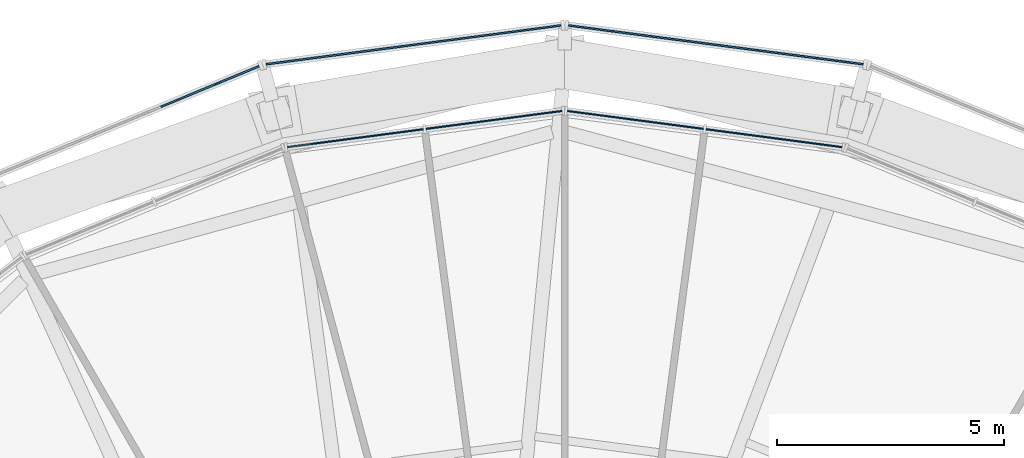
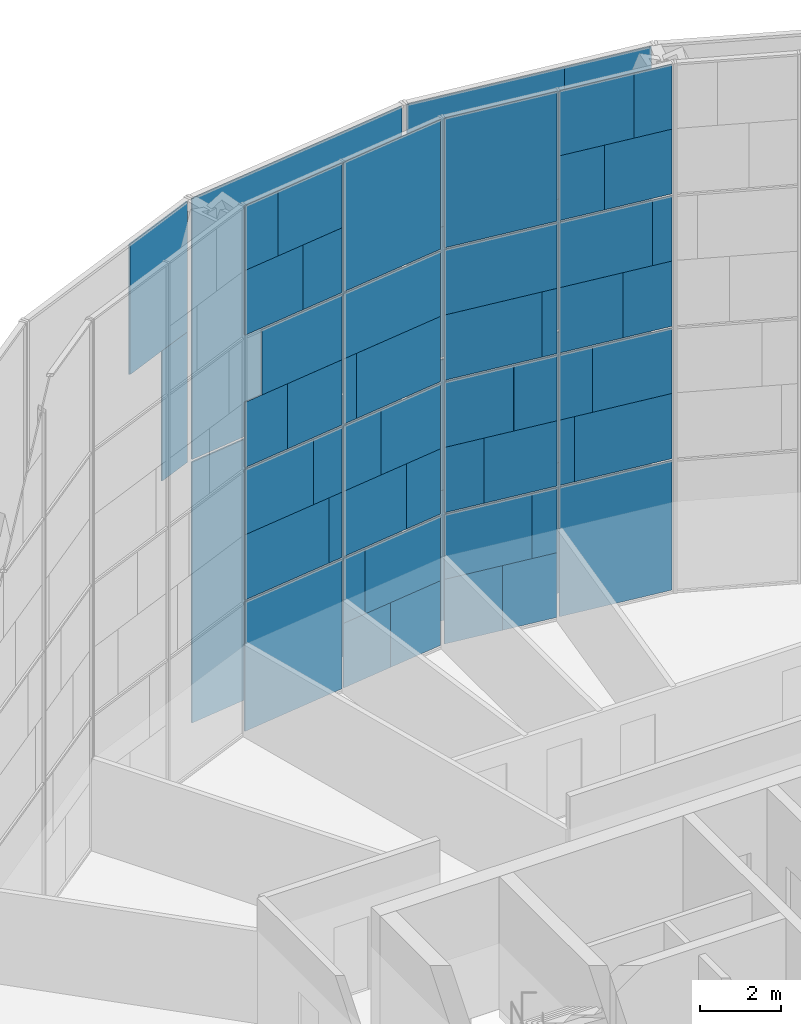
# One storey, part 22 of 28: 63 plates, 5 elements without a shape of their own.
"""IFC4 building model written with IfcOpenShell, lengths in metres."""

from ifc_helpers import new_model, si_unit, direction, frame, origin, origin_2d, place, context, subcontext, project, spatial, rectangle, extrude, material, layer, layer_set, type_object, element, aggregate, save


model = new_model("IFC4")

# Units and contexts
model_context = context("Model", 3, precision=1e-05, world=origin(), true_north=direction((0.0, 1.0)))
body_context = subcontext(model_context, "Body", "Model", "MODEL_VIEW")
ifc_project = project(units=[si_unit("LENGTHUNIT", "METRE"), si_unit("AREAUNIT", "SQUARE_METRE"), si_unit("VOLUMEUNIT", "CUBIC_METRE"), si_unit("PLANEANGLEUNIT", "RADIAN"), si_unit("MASSUNIT", "GRAM", prefix="KILO")], contexts=[model_context])

# Site, building, storey
site_placement = place(None, origin())
site = spatial("IfcSite", under=ifc_project, at=site_placement, CompositionType="ELEMENT")
building_placement = place(site_placement, origin())
building = spatial("IfcBuilding", under=site, at=building_placement, Name="Golbaran Civic Tower", CompositionType="ELEMENT")
storey_placement = place(building_placement, frame((0.0, 0.0, 183.0)))
storey = spatial("IfcBuildingStorey", under=building, at=storey_placement, Name="L44", CompositionType="ELEMENT", Elevation=183.0)

# Curtain wall, plates
ifc_material_1 = material(Name="Aluminium and glass", Category="aluminium")
curtain_wall_type_1 = type_object("IfcCurtainWallType", Name="INNER SKIN CURTAIN WALL EXECUTIVE", PredefinedType="NOTDEFINED", material=ifc_material_1)
curtain_wall_1_placement = place(storey_placement, origin())
curtain_wall_1 = element("IfcCurtainWall", 1, at=curtain_wall_1_placement, inside=storey, type_object=curtain_wall_type_1, Name="Inner skin L44 facet 6 CW2", ObjectType="INNER SKIN", PredefinedType="USERDEFINED")
ifc_material_2 = material(Name="Clear insulating glass", Category="glass")
ifc_layer_1 = layer(ifc_material_2, 0.031982421875, Name="Clear insulating glass")
ifc_layer_set_1 = layer_set([ifc_layer_1], Name="Clear insulating glass")
plate_type_1 = type_object("IfcPlateType", Name="INNER SKIN CURTAIN WALL EXECUTIVE GLAZED PANEL", PredefinedType="CURTAIN_PANEL", material=ifc_layer_set_1)
plate_1_placement = place(storey_placement, frame((4.607421875, 23.205322265625, 0.06005859375), z_axis=(0.0, 0.0, 1.0), x_axis=(-0.991444861383, 0.130526192151, 0.0)))
plate_1 = element("IfcPlate", 2, at=plate_1_placement, type_object=plate_type_1, Name="CW2 panel 1.1", PredefinedType="CURTAIN_PANEL", context=body_context, shape_type="SweptSolid", body=[
    extrude(rectangle(XDim=3.01806640625, YDim=0.031982421875, at=origin_2d()), origin(), (0.0, 0.0, 1.0), 3.909912109375),
])
plate_2_placement = place(storey_placement, frame((4.80615234375, 23.17919921875, 4.02978515625), z_axis=(0.0, 0.0, 1.0), x_axis=(-0.991444861383, 0.130526192151, 0.0)))
plate_2 = element("IfcPlate", 3, at=plate_2_placement, type_object=plate_type_1, Name="CW2 panel 1.2 part 1", PredefinedType="CURTAIN_PANEL", context=body_context, shape_type="SweptSolid", body=[
    extrude(rectangle(XDim=2.616943359375, YDim=0.031982421875, at=origin_2d()), origin(), (0.0, 0.0, 1.0), 1.969970703125),
])
plate_3_placement = place(storey_placement, frame((5.044677734375, 23.14794921875, 6.0), z_axis=(0.0, 0.0, 1.0), x_axis=(-0.991444861383, 0.130526192151, 0.0)))
plate_3 = element("IfcPlate", 4, at=plate_3_placement, type_object=plate_type_1, Name="CW2 panel 1.2 part 3", PredefinedType="CURTAIN_PANEL", context=body_context, shape_type="SweptSolid", body=[
    extrude(rectangle(XDim=2.135986328125, YDim=0.031982421875, at=origin_2d()), origin(), (0.0, 0.0, 1.0), 1.969970703125),
])
plate_4_placement = place(storey_placement, frame((5.45068359375, 23.094482421875, 8.02978515625), z_axis=(0.0, 0.0, 1.0), x_axis=(-0.991444861383, 0.130526192151, 0.0)))
plate_4 = element("IfcPlate", 5, at=plate_4_placement, type_object=plate_type_1, Name="CW2 panel 1.3 part 1", PredefinedType="CURTAIN_PANEL", context=body_context, shape_type="SweptSolid", body=[
    extrude(rectangle(XDim=1.31689453125, YDim=0.031982421875, at=origin_2d()), origin(), (0.0, 0.0, 1.0), 1.969970703125),
])
plate_5_placement = place(storey_placement, frame((5.84423828125, 23.04248046875, 10.0), z_axis=(0.0, 0.0, 1.0), x_axis=(-0.991444861383, 0.130526192151, 0.0)))
plate_5 = element("IfcPlate", 6, at=plate_5_placement, type_object=plate_type_1, Name="CW2 panel 1.3 part 3", PredefinedType="CURTAIN_PANEL", context=body_context, shape_type="SweptSolid", body=[
    extrude(rectangle(XDim=0.52294921875, YDim=0.031982421875, at=origin_2d()), origin(), (0.0, 0.0, 1.0), 1.969970703125),
])
plate_6_placement = place(storey_placement, frame((3.710205078125, 23.323486328125, 12.030029296875), z_axis=(0.0, 0.0, 1.0), x_axis=(-0.991444861383, 0.130526192151, 0.0)))
plate_6 = element("IfcPlate", 7, at=plate_6_placement, type_object=plate_type_1, Name="CW2 panel 1.4 part 2", PredefinedType="CURTAIN_PANEL", context=body_context, shape_type="SweptSolid", body=[
    extrude(rectangle(XDim=1.2080078125, YDim=0.031982421875, at=origin_2d()), origin(), (0.0, 0.0, 1.0), 1.955078125),
])
plate_7_placement = place(storey_placement, frame((4.100830078125, 23.272216796875, 13.98486328125), z_axis=(0.0, 0.0, 1.0), x_axis=(-0.991444861383, 0.130526192151, 0.0)))
plate_7 = element("IfcPlate", 8, at=plate_7_placement, type_object=plate_type_1, Name="CW2 panel 1.4 part 4", PredefinedType="CURTAIN_PANEL", context=body_context, shape_type="SweptSolid", body=[
    extrude(rectangle(XDim=1.99609375, YDim=0.031982421875, at=origin_2d()), origin(), (0.0, 0.0, 1.0), 1.955078125),
])
plate_8_placement = place(storey_placement, frame((2.32861328125, 23.50537109375, 0.06005859375), z_axis=(0.0, 0.0, 1.0), x_axis=(-0.991444861383, 0.130526192151, 0.0)))
plate_8 = element("IfcPlate", 9, at=plate_8_placement, type_object=plate_type_1, Name="CW2 panel 2.1 part 1", PredefinedType="CURTAIN_PANEL", context=body_context, shape_type="SweptSolid", body=[
    extrude(rectangle(XDim=1.458984375, YDim=0.031982421875, at=origin_2d()), origin(), (0.0, 0.0, 1.0), 1.955078125),
])
plate_9_placement = place(storey_placement, frame((2.7197265625, 23.453857421875, 2.014892578125), z_axis=(0.0, 0.0, 1.0), x_axis=(-0.991444861383, 0.130526192151, 0.0)))
plate_9 = element("IfcPlate", 10, at=plate_9_placement, type_object=plate_type_1, Name="CW2 panel 2.1 part 3", PredefinedType="CURTAIN_PANEL", context=body_context, shape_type="SweptSolid", body=[
    extrude(rectangle(XDim=0.669921875, YDim=0.031982421875, at=origin_2d()), origin(), (0.0, 0.0, 1.0), 1.955078125),
])
plate_10_placement = place(storey_placement, frame((0.5849609375, 23.73486328125, 4.02978515625), z_axis=(0.0, 0.0, 1.0), x_axis=(-0.991444861383, 0.130526192151, 0.0)))
plate_10 = element("IfcPlate", 11, at=plate_10_placement, type_object=plate_type_1, Name="CW2 panel 2.2 part 2", PredefinedType="CURTAIN_PANEL", context=body_context, shape_type="SweptSolid", body=[
    extrude(rectangle(XDim=1.06005859375, YDim=0.031982421875, at=origin_2d()), origin(), (0.0, 0.0, 1.0), 1.969970703125),
])
plate_11_placement = place(storey_placement, frame((0.97900390625, 23.68310546875, 6.0), z_axis=(0.0, 0.0, 1.0), x_axis=(-0.991444861383, 0.130526192151, 0.0)))
plate_11 = element("IfcPlate", 12, at=plate_11_placement, type_object=plate_type_1, Name="CW2 panel 2.2 part 4", PredefinedType="CURTAIN_PANEL", context=body_context, shape_type="SweptSolid", body=[
    extrude(rectangle(XDim=1.85498046875, YDim=0.031982421875, at=origin_2d()), origin(), (0.0, 0.0, 1.0), 1.969970703125),
])
plate_12_placement = place(storey_placement, frame((1.35693359375, 23.63330078125, 8.02978515625), z_axis=(0.0, 0.0, 1.0), x_axis=(-0.991444861383, 0.130526192151, 0.0)))
plate_12 = element("IfcPlate", 13, at=plate_12_placement, type_object=plate_type_1, Name="CW2 panel 2.3 part 2", PredefinedType="CURTAIN_PANEL", context=body_context, shape_type="SweptSolid", body=[
    extrude(rectangle(XDim=2.6171875, YDim=0.031982421875, at=origin_2d()), origin(), (0.0, 0.0, 1.0), 1.969970703125),
])
plate_13_placement = place(storey_placement, frame((1.5556640625, 23.607177734375, 10.0), z_axis=(0.0, 0.0, 1.0), x_axis=(-0.991444861383, 0.130526192151, 0.0)))
plate_13 = element("IfcPlate", 14, at=plate_13_placement, type_object=plate_type_1, Name="CW2 panel 2.3 part 3", PredefinedType="CURTAIN_PANEL", context=body_context, shape_type="SweptSolid", body=[
    extrude(rectangle(XDim=3.01806640625, YDim=0.031982421875, at=origin_2d()), origin(), (0.0, 0.0, 1.0), 1.969970703125),
])
plate_14_placement = place(storey_placement, frame((1.5556640625, 23.607177734375, 12.0302734375), z_axis=(0.0, 0.0, 1.0), x_axis=(-0.991444861383, 0.130526192151, 0.0)))
plate_14 = element("IfcPlate", 15, at=plate_14_placement, type_object=plate_type_1, Name="CW2 panel 2.4", PredefinedType="CURTAIN_PANEL", context=body_context, shape_type="SweptSolid", body=[
    extrude(rectangle(XDim=3.01806640625, YDim=0.031982421875, at=origin_2d()), origin(), (0.0, 0.0, 1.0), 3.909912109375),
])

curtain_wall_2_placement = place(storey_placement, origin())
curtain_wall_2 = element("IfcCurtainWall", 16, at=curtain_wall_2_placement, inside=storey, type_object=curtain_wall_type_1, Name="Inner skin L44 facet 7 CW2", ObjectType="INNER SKIN", PredefinedType="USERDEFINED")
plate_15_placement = place(storey_placement, frame((-2.328369140625, 23.50537109375, 0.06005859375), z_axis=(0.0, 0.0, 1.0), x_axis=(-0.991444861383, -0.130526192151, 0.0)))
plate_15 = element("IfcPlate", 17, at=plate_15_placement, type_object=plate_type_1, Name="CW2 panel 1.1 part 2", PredefinedType="CURTAIN_PANEL", context=body_context, shape_type="SweptSolid", body=[
    extrude(rectangle(XDim=1.458984375, YDim=0.031982421875, at=origin_2d()), origin(), (0.0, 0.0, 1.0), 1.955078125),
])
plate_16_placement = place(storey_placement, frame((-2.719482421875, 23.453857421875, 2.014892578125), z_axis=(0.0, 0.0, 1.0), x_axis=(-0.991444861383, -0.130526192151, 0.0)))
plate_16 = element("IfcPlate", 18, at=plate_16_placement, type_object=plate_type_1, Name="CW2 panel 1.1 part 4", PredefinedType="CURTAIN_PANEL", context=body_context, shape_type="SweptSolid", body=[
    extrude(rectangle(XDim=0.670166015625, YDim=0.031982421875, at=origin_2d()), origin(), (0.0, 0.0, 1.0), 1.955078125),
])
plate_17_placement = place(storey_placement, frame((-0.5849609375, 23.735107421875, 4.02978515625), z_axis=(0.0, 0.0, 1.0), x_axis=(-0.991444861383, -0.130526192151, 0.0)))
plate_17 = element("IfcPlate", 19, at=plate_17_placement, type_object=plate_type_1, Name="CW2 panel 1.2 part 1", PredefinedType="CURTAIN_PANEL", context=body_context, shape_type="SweptSolid", body=[
    extrude(rectangle(XDim=1.06005859375, YDim=0.031982421875, at=origin_2d()), origin(), (0.0, 0.0, 1.0), 1.969970703125),
])
plate_18_placement = place(storey_placement, frame((-0.97900390625, 23.68310546875, 6.0), z_axis=(0.0, 0.0, 1.0), x_axis=(-0.991444861383, -0.130526192151, 0.0)))
plate_18 = element("IfcPlate", 20, at=plate_18_placement, type_object=plate_type_1, Name="CW2 panel 1.2 part 3", PredefinedType="CURTAIN_PANEL", context=body_context, shape_type="SweptSolid", body=[
    extrude(rectangle(XDim=1.85498046875, YDim=0.031982421875, at=origin_2d()), origin(), (0.0, 0.0, 1.0), 1.969970703125),
])
plate_19_placement = place(storey_placement, frame((-1.356689453125, 23.63330078125, 8.02978515625), z_axis=(0.0, 0.0, 1.0), x_axis=(-0.991444861383, -0.130526192151, 0.0)))
plate_19 = element("IfcPlate", 21, at=plate_19_placement, type_object=plate_type_1, Name="CW2 panel 1.3 part 1", PredefinedType="CURTAIN_PANEL", context=body_context, shape_type="SweptSolid", body=[
    extrude(rectangle(XDim=2.616943359375, YDim=0.031982421875, at=origin_2d()), origin(), (0.0, 0.0, 1.0), 1.969970703125),
])
plate_20_placement = place(storey_placement, frame((-1.5556640625, 23.607177734375, 10.0), z_axis=(0.0, 0.0, 1.0), x_axis=(-0.991444861383, -0.130526192151, 0.0)))
plate_20 = element("IfcPlate", 22, at=plate_20_placement, type_object=plate_type_1, Name="CW2 panel 1.3 part 3", PredefinedType="CURTAIN_PANEL", context=body_context, shape_type="SweptSolid", body=[
    extrude(rectangle(XDim=3.01806640625, YDim=0.031982421875, at=origin_2d()), origin(), (0.0, 0.0, 1.0), 1.969970703125),
])
plate_21_placement = place(storey_placement, frame((-1.5556640625, 23.607177734375, 12.0302734375), z_axis=(0.0, 0.0, 1.0), x_axis=(-0.991444861383, -0.130526192151, 0.0)))
plate_21 = element("IfcPlate", 23, at=plate_21_placement, type_object=plate_type_1, Name="CW2 panel 1.4", PredefinedType="CURTAIN_PANEL", context=body_context, shape_type="SweptSolid", body=[
    extrude(rectangle(XDim=3.01806640625, YDim=0.031982421875, at=origin_2d()), origin(), (0.0, 0.0, 1.0), 3.909912109375),
])
plate_22_placement = place(storey_placement, frame((-4.607421875, 23.205322265625, 0.06005859375), z_axis=(0.0, 0.0, 1.0), x_axis=(-0.991444861383, -0.130526192151, 0.0)))
plate_22 = element("IfcPlate", 24, at=plate_22_placement, type_object=plate_type_1, Name="CW2 panel 2.1", PredefinedType="CURTAIN_PANEL", context=body_context, shape_type="SweptSolid", body=[
    extrude(rectangle(XDim=3.01806640625, YDim=0.031982421875, at=origin_2d()), origin(), (0.0, 0.0, 1.0), 3.909912109375),
])
plate_23_placement = place(storey_placement, frame((-4.8056640625, 23.179443359375, 4.02978515625), z_axis=(0.0, 0.0, 1.0), x_axis=(-0.991444861383, -0.130526192151, 0.0)))
plate_23 = element("IfcPlate", 25, at=plate_23_placement, type_object=plate_type_1, Name="CW2 panel 2.2 part 2", PredefinedType="CURTAIN_PANEL", context=body_context, shape_type="SweptSolid", body=[
    extrude(rectangle(XDim=2.6181640625, YDim=0.031982421875, at=origin_2d()), origin(), (0.0, 0.0, 1.0), 1.969970703125),
])
plate_24_placement = place(storey_placement, frame((-5.044677734375, 23.14794921875, 6.0), z_axis=(0.0, 0.0, 1.0), x_axis=(-0.991444861383, -0.130526192151, 0.0)))
plate_24 = element("IfcPlate", 26, at=plate_24_placement, type_object=plate_type_1, Name="CW2 panel 2.2 part 4", PredefinedType="CURTAIN_PANEL", context=body_context, shape_type="SweptSolid", body=[
    extrude(rectangle(XDim=2.135986328125, YDim=0.031982421875, at=origin_2d()), origin(), (0.0, 0.0, 1.0), 1.969970703125),
])
plate_25_placement = place(storey_placement, frame((-5.45068359375, 23.094482421875, 8.02978515625), z_axis=(0.0, 0.0, 1.0), x_axis=(-0.991444861383, -0.130526192151, 0.0)))
plate_25 = element("IfcPlate", 27, at=plate_25_placement, type_object=plate_type_1, Name="CW2 panel 2.3 part 2", PredefinedType="CURTAIN_PANEL", context=body_context, shape_type="SweptSolid", body=[
    extrude(rectangle(XDim=1.317138671875, YDim=0.031982421875, at=origin_2d()), origin(), (0.0, 0.0, 1.0), 1.969970703125),
])
plate_26_placement = place(storey_placement, frame((-3.7099609375, 23.323486328125, 12.030029296875), z_axis=(0.0, 0.0, 1.0), x_axis=(-0.991444861383, -0.130526192151, 0.0)))
plate_26 = element("IfcPlate", 28, at=plate_26_placement, type_object=plate_type_1, Name="CW2 panel 2.4 part 1", PredefinedType="CURTAIN_PANEL", context=body_context, shape_type="SweptSolid", body=[
    extrude(rectangle(XDim=1.2080078125, YDim=0.031982421875, at=origin_2d()), origin(), (0.0, 0.0, 1.0), 1.955078125),
])
plate_27_placement = place(storey_placement, frame((-4.1005859375, 23.272216796875, 13.98486328125), z_axis=(0.0, 0.0, 1.0), x_axis=(-0.991444861383, -0.130526192151, 0.0)))
plate_27 = element("IfcPlate", 29, at=plate_27_placement, type_object=plate_type_1, Name="CW2 panel 2.4 part 3", PredefinedType="CURTAIN_PANEL", context=body_context, shape_type="SweptSolid", body=[
    extrude(rectangle(XDim=1.99609375, YDim=0.031982421875, at=origin_2d()), origin(), (0.0, 0.0, 1.0), 1.955078125),
])

# Plate
ifc_material_3 = material(Name="Aluminium faced opaque infill panel", Category="aluminium")
ifc_layer_2 = layer(ifc_material_3, 0.031982421875, Name="Aluminium faced opaque infill panel")
ifc_layer_set_2 = layer_set([ifc_layer_2], Name="Aluminium faced opaque infill panel")
plate_type_2 = type_object("IfcPlateType", Name="INNER SKIN CURTAIN WALL EXECUTIVE OPAQUE INFILL PANEL", PredefinedType="CURTAIN_PANEL", material=ifc_layer_set_2)
plate_28_placement = place(storey_placement, frame((3.31005859375, 23.376220703125, 4.02978515625), z_axis=(0.0, 0.0, 1.0), x_axis=(-0.991444861383, 0.130526192151, 0.0)))
plate_28 = element("IfcPlate", 30, at=plate_28_placement, type_object=plate_type_2, Name="CW2 infill panel 1.2 part 2", PredefinedType="CURTAIN_PANEL", context=body_context, shape_type="SweptSolid", body=[
    extrude(rectangle(XDim=0.401123046875, YDim=0.031982421875, at=origin_2d()), origin(), (0.0, 0.0, 1.0), 1.969970703125),
])

plate_29_placement = place(storey_placement, frame((3.548583984375, 23.3447265625, 6.0), z_axis=(0.0, 0.0, 1.0), x_axis=(-0.991444861383, 0.130526192151, 0.0)))
plate_29 = element("IfcPlate", 31, at=plate_29_placement, type_object=plate_type_2, Name="CW2 infill panel 1.2 part 4", PredefinedType="CURTAIN_PANEL", context=body_context, shape_type="SweptSolid", body=[
    extrude(rectangle(XDim=0.882080078125, YDim=0.031982421875, at=origin_2d()), origin(), (0.0, 0.0, 1.0), 1.969970703125),
])

plate_30_placement = place(storey_placement, frame((3.95458984375, 23.291259765625, 8.02978515625), z_axis=(0.0, 0.0, 1.0), x_axis=(-0.991444861383, 0.130526192151, 0.0)))
plate_30 = element("IfcPlate", 32, at=plate_30_placement, type_object=plate_type_2, Name="CW2 infill panel 1.3 part 2", PredefinedType="CURTAIN_PANEL", context=body_context, shape_type="SweptSolid", body=[
    extrude(rectangle(XDim=1.701171875, YDim=0.031982421875, at=origin_2d()), origin(), (0.0, 0.0, 1.0), 1.969970703125),
])

plate_31_placement = place(storey_placement, frame((4.34814453125, 23.239501953125, 10.0), z_axis=(0.0, 0.0, 1.0), x_axis=(-0.991444861383, 0.130526192151, 0.0)))
plate_31 = element("IfcPlate", 33, at=plate_31_placement, type_object=plate_type_2, Name="CW2 infill panel 1.3 part 4", PredefinedType="CURTAIN_PANEL", context=body_context, shape_type="SweptSolid", body=[
    extrude(rectangle(XDim=2.4951171875, YDim=0.031982421875, at=origin_2d()), origin(), (0.0, 0.0, 1.0), 1.969970703125),
])

plate_32_placement = place(storey_placement, frame((5.206298828125, 23.12646484375, 12.030029296875), z_axis=(0.0, 0.0, 1.0), x_axis=(-0.991444861383, 0.130526192151, 0.0)))
plate_32 = element("IfcPlate", 34, at=plate_32_placement, type_object=plate_type_2, Name="CW2 infill panel 1.4 part 1", PredefinedType="CURTAIN_PANEL", context=body_context, shape_type="SweptSolid", body=[
    extrude(rectangle(XDim=1.81005859375, YDim=0.031982421875, at=origin_2d()), origin(), (0.0, 0.0, 1.0), 1.955078125),
])

plate_33_placement = place(storey_placement, frame((5.596923828125, 23.0751953125, 13.98486328125), z_axis=(0.0, 0.0, 1.0), x_axis=(-0.991444861383, 0.130526192151, 0.0)))
plate_33 = element("IfcPlate", 35, at=plate_33_placement, type_object=plate_type_2, Name="CW2 infill panel 1.4 part 3", PredefinedType="CURTAIN_PANEL", context=body_context, shape_type="SweptSolid", body=[
    extrude(rectangle(XDim=1.02197265625, YDim=0.031982421875, at=origin_2d()), origin(), (0.0, 0.0, 1.0), 1.955078125),
])

plate_34_placement = place(storey_placement, frame((0.832275390625, 23.702392578125, 0.06005859375), z_axis=(0.0, 0.0, 1.0), x_axis=(-0.991444861383, 0.130526192151, 0.0)))
plate_34 = element("IfcPlate", 36, at=plate_34_placement, type_object=plate_type_2, Name="CW2 infill panel 2.1 part 2", PredefinedType="CURTAIN_PANEL", context=body_context, shape_type="SweptSolid", body=[
    extrude(rectangle(XDim=1.55908203125, YDim=0.031982421875, at=origin_2d()), origin(), (0.0, 0.0, 1.0), 1.955078125),
])

plate_35_placement = place(storey_placement, frame((1.223388671875, 23.65087890625, 2.014892578125), z_axis=(0.0, 0.0, 1.0), x_axis=(-0.991444861383, 0.130526192151, 0.0)))
plate_35 = element("IfcPlate", 37, at=plate_35_placement, type_object=plate_type_2, Name="CW2 infill panel 2.1 part 4", PredefinedType="CURTAIN_PANEL", context=body_context, shape_type="SweptSolid", body=[
    extrude(rectangle(XDim=2.34814453125, YDim=0.031982421875, at=origin_2d()), origin(), (0.0, 0.0, 1.0), 1.955078125),
])

plate_36_placement = place(storey_placement, frame((2.0810546875, 23.5380859375, 4.02978515625), z_axis=(0.0, 0.0, 1.0), x_axis=(-0.991444861383, 0.130526192151, 0.0)))
plate_36 = element("IfcPlate", 38, at=plate_36_placement, type_object=plate_type_2, Name="CW2 infill panel 2.2 part 1", PredefinedType="CURTAIN_PANEL", context=body_context, shape_type="SweptSolid", body=[
    extrude(rectangle(XDim=1.9580078125, YDim=0.031982421875, at=origin_2d()), origin(), (0.0, 0.0, 1.0), 1.969970703125),
])

plate_37_placement = place(storey_placement, frame((2.475341796875, 23.486083984375, 6.0), z_axis=(0.0, 0.0, 1.0), x_axis=(-0.991444861383, 0.130526192151, 0.0)))
plate_37 = element("IfcPlate", 39, at=plate_37_placement, type_object=plate_type_2, Name="CW2 infill panel 2.2 part 3", PredefinedType="CURTAIN_PANEL", context=body_context, shape_type="SweptSolid", body=[
    extrude(rectangle(XDim=1.1630859375, YDim=0.031982421875, at=origin_2d()), origin(), (0.0, 0.0, 1.0), 1.969970703125),
])

plate_38_placement = place(storey_placement, frame((2.85302734375, 23.436279296875, 8.02978515625), z_axis=(0.0, 0.0, 1.0), x_axis=(-0.991444861383, 0.130526192151, 0.0)))
plate_38 = element("IfcPlate", 40, at=plate_38_placement, type_object=plate_type_2, Name="CW2 infill panel 2.3 part 1", PredefinedType="CURTAIN_PANEL", context=body_context, shape_type="SweptSolid", body=[
    extrude(rectangle(XDim=0.40087890625, YDim=0.031982421875, at=origin_2d()), origin(), (0.0, 0.0, 1.0), 1.969970703125),
])

aggregate(curtain_wall_1, [plate_1, plate_2, plate_28, plate_3, plate_29, plate_4, plate_30, plate_5, plate_31, plate_32, plate_6, plate_33, plate_7, plate_8, plate_34, plate_9, plate_35, plate_36, plate_10, plate_37, plate_11, plate_38, plate_12, plate_13, plate_14])

plate_39_placement = place(storey_placement, frame((-0.832275390625, 23.702392578125, 0.06005859375), z_axis=(0.0, 0.0, 1.0), x_axis=(-0.991444861383, -0.130526192151, 0.0)))
plate_39 = element("IfcPlate", 41, at=plate_39_placement, type_object=plate_type_2, Name="CW2 infill panel 1.1 part 1", PredefinedType="CURTAIN_PANEL", context=body_context, shape_type="SweptSolid", body=[
    extrude(rectangle(XDim=1.55908203125, YDim=0.031982421875, at=origin_2d()), origin(), (0.0, 0.0, 1.0), 1.955078125),
])

plate_40_placement = place(storey_placement, frame((-1.223388671875, 23.65087890625, 2.014892578125), z_axis=(0.0, 0.0, 1.0), x_axis=(-0.991444861383, -0.130526192151, 0.0)))
plate_40 = element("IfcPlate", 42, at=plate_40_placement, type_object=plate_type_2, Name="CW2 infill panel 1.1 part 3", PredefinedType="CURTAIN_PANEL", context=body_context, shape_type="SweptSolid", body=[
    extrude(rectangle(XDim=2.347900390625, YDim=0.031982421875, at=origin_2d()), origin(), (0.0, 0.0, 1.0), 1.955078125),
])

plate_41_placement = place(storey_placement, frame((-2.0810546875, 23.5380859375, 4.02978515625), z_axis=(0.0, 0.0, 1.0), x_axis=(-0.991444861383, -0.130526192151, 0.0)))
plate_41 = element("IfcPlate", 43, at=plate_41_placement, type_object=plate_type_2, Name="CW2 infill panel 1.2 part 2", PredefinedType="CURTAIN_PANEL", context=body_context, shape_type="SweptSolid", body=[
    extrude(rectangle(XDim=1.9580078125, YDim=0.031982421875, at=origin_2d()), origin(), (0.0, 0.0, 1.0), 1.969970703125),
])

plate_42_placement = place(storey_placement, frame((-2.47509765625, 23.486083984375, 6.0), z_axis=(0.0, 0.0, 1.0), x_axis=(-0.991444861383, -0.130526192151, 0.0)))
plate_42 = element("IfcPlate", 44, at=plate_42_placement, type_object=plate_type_2, Name="CW2 infill panel 1.2 part 4", PredefinedType="CURTAIN_PANEL", context=body_context, shape_type="SweptSolid", body=[
    extrude(rectangle(XDim=1.1630859375, YDim=0.031982421875, at=origin_2d()), origin(), (0.0, 0.0, 1.0), 1.969970703125),
])

plate_43_placement = place(storey_placement, frame((-2.85302734375, 23.4365234375, 8.02978515625), z_axis=(0.0, 0.0, 1.0), x_axis=(-0.991444861383, -0.130526192151, 0.0)))
plate_43 = element("IfcPlate", 45, at=plate_43_placement, type_object=plate_type_2, Name="CW2 infill panel 1.3 part 2", PredefinedType="CURTAIN_PANEL", context=body_context, shape_type="SweptSolid", body=[
    extrude(rectangle(XDim=0.401123046875, YDim=0.031982421875, at=origin_2d()), origin(), (0.0, 0.0, 1.0), 1.969970703125),
])

plate_44_placement = place(storey_placement, frame((-3.3095703125, 23.376220703125, 4.02978515625), z_axis=(0.0, 0.0, 1.0), x_axis=(-0.991444861383, -0.130526192151, 0.0)))
plate_44 = element("IfcPlate", 46, at=plate_44_placement, type_object=plate_type_2, Name="CW2 infill panel 2.2 part 1", PredefinedType="CURTAIN_PANEL", context=body_context, shape_type="SweptSolid", body=[
    extrude(rectangle(XDim=0.39990234375, YDim=0.031982421875, at=origin_2d()), origin(), (0.0, 0.0, 1.0), 1.969970703125),
])

plate_45_placement = place(storey_placement, frame((-3.548583984375, 23.3447265625, 6.0), z_axis=(0.0, 0.0, 1.0), x_axis=(-0.991444861383, -0.130526192151, 0.0)))
plate_45 = element("IfcPlate", 47, at=plate_45_placement, type_object=plate_type_2, Name="CW2 infill panel 2.2 part 3", PredefinedType="CURTAIN_PANEL", context=body_context, shape_type="SweptSolid", body=[
    extrude(rectangle(XDim=0.882080078125, YDim=0.031982421875, at=origin_2d()), origin(), (0.0, 0.0, 1.0), 1.969970703125),
])

plate_46_placement = place(storey_placement, frame((-3.954345703125, 23.29150390625, 8.02978515625), z_axis=(0.0, 0.0, 1.0), x_axis=(-0.991444861383, -0.130526192151, 0.0)))
plate_46 = element("IfcPlate", 48, at=plate_46_placement, type_object=plate_type_2, Name="CW2 infill panel 2.3 part 1", PredefinedType="CURTAIN_PANEL", context=body_context, shape_type="SweptSolid", body=[
    extrude(rectangle(XDim=1.700927734375, YDim=0.031982421875, at=origin_2d()), origin(), (0.0, 0.0, 1.0), 1.969970703125),
])

plate_47_placement = place(storey_placement, frame((-4.34814453125, 23.239501953125, 10.0), z_axis=(0.0, 0.0, 1.0), x_axis=(-0.991444861383, -0.130526192151, 0.0)))
plate_47 = element("IfcPlate", 49, at=plate_47_placement, type_object=plate_type_2, Name="CW2 infill panel 2.3 part 3", PredefinedType="CURTAIN_PANEL", context=body_context, shape_type="SweptSolid", body=[
    extrude(rectangle(XDim=2.4951171875, YDim=0.031982421875, at=origin_2d()), origin(), (0.0, 0.0, 1.0), 1.969970703125),
])

plate_48_placement = place(storey_placement, frame((-5.206298828125, 23.126708984375, 12.030029296875), z_axis=(0.0, 0.0, 1.0), x_axis=(-0.991444861383, -0.130526192151, 0.0)))
plate_48 = element("IfcPlate", 50, at=plate_48_placement, type_object=plate_type_2, Name="CW2 infill panel 2.4 part 2", PredefinedType="CURTAIN_PANEL", context=body_context, shape_type="SweptSolid", body=[
    extrude(rectangle(XDim=1.81005859375, YDim=0.031982421875, at=origin_2d()), origin(), (0.0, 0.0, 1.0), 1.955078125),
])

plate_49_placement = place(storey_placement, frame((-5.596923828125, 23.0751953125, 13.98486328125), z_axis=(0.0, 0.0, 1.0), x_axis=(-0.991444861383, -0.130526192151, 0.0)))
plate_49 = element("IfcPlate", 51, at=plate_49_placement, type_object=plate_type_2, Name="CW2 infill panel 2.4 part 4", PredefinedType="CURTAIN_PANEL", context=body_context, shape_type="SweptSolid", body=[
    extrude(rectangle(XDim=1.02197265625, YDim=0.031982421875, at=origin_2d()), origin(), (0.0, 0.0, 1.0), 1.955078125),
])

aggregate(curtain_wall_2, [plate_39, plate_15, plate_40, plate_16, plate_17, plate_41, plate_18, plate_42, plate_19, plate_43, plate_20, plate_21, plate_22, plate_44, plate_23, plate_45, plate_24, plate_46, plate_25, plate_47, plate_26, plate_48, plate_27, plate_49])

# Curtain wall, plates
curtain_wall_type_2 = type_object("IfcCurtainWallType", Name="OUTER SKIN TERRACOTTA SCREEN", PredefinedType="NOTDEFINED", material=ifc_material_1)
curtain_wall_3_placement = place(storey_placement, origin())
curtain_wall_3 = element("IfcCurtainWall", 52, at=curtain_wall_3_placement, inside=storey, type_object=curtain_wall_type_2, Name="Outer skin L44 facet 6 CW3", ObjectType="OUTER SKIN", PredefinedType="USERDEFINED")
ifc_material_4 = material(Name="Clear laminated glass", Category="glass")
ifc_layer_3 = layer(ifc_material_4, 0.0400390625, Name="Clear laminated glass")
ifc_layer_set_3 = layer_set([ifc_layer_3], Name="Clear laminated glass")
plate_type_3 = type_object("IfcPlateType", Name="OUTER SKIN CLEAR GLASS PANEL", PredefinedType="CURTAIN_PANEL", material=ifc_layer_set_3)
plate_50_placement = place(storey_placement, frame((4.46923828125, 25.108642578125, -0.6298828125), z_axis=(0.0, 0.0, 1.0), x_axis=(-0.991444861372, 0.130526192237, 0.0)))
plate_50 = element("IfcPlate", 53, at=plate_50_placement, type_object=plate_type_3, Name="CW3 panel 1.1 part 1", PredefinedType="CURTAIN_PANEL", context=body_context, shape_type="SweptSolid", body=[
    extrude(rectangle(XDim=4.240966796875, YDim=0.0400390625, at=origin_2d()), origin(), (0.0, 0.0, 1.0), 3.93994140625),
])
plate_51_placement = place(storey_placement, frame((5.2568359375, 25.0048828125, 3.31005859375), z_axis=(0.0, 0.0, 1.0), x_axis=(-0.991444861372, 0.130526192237, 0.0)))
plate_51 = element("IfcPlate", 54, at=plate_51_placement, type_object=plate_type_3, Name="CW3 panel 1.1 part 3", PredefinedType="CURTAIN_PANEL", context=body_context, shape_type="SweptSolid", body=[
    extrude(rectangle(XDim=2.652099609375, YDim=0.0400390625, at=origin_2d()), origin(), (0.0, 0.0, 1.0), 3.93994140625),
])
plate_52_placement = place(storey_placement, frame((0.5732421875, 25.62158203125, 3.31005859375), z_axis=(0.0, 0.0, 1.0), x_axis=(-0.991444861372, 0.130526192237, 0.0)))
plate_52 = element("IfcPlate", 55, at=plate_52_placement, type_object=plate_type_3, Name="CW3 panel 1.1 part 5", PredefinedType="CURTAIN_PANEL", context=body_context, shape_type="SweptSolid", body=[
    extrude(rectangle(XDim=0.996337890625, YDim=0.0400390625, at=origin_2d()), origin(), (0.0, 0.0, 1.0), 3.93994140625),
])
plate_53_placement = place(storey_placement, frame((6.060546875, 24.899169921875, 7.330078125), z_axis=(0.0, 0.0, 1.0), x_axis=(-0.991444861372, 0.130526192237, 0.0)))
plate_53 = element("IfcPlate", 56, at=plate_53_placement, type_object=plate_type_3, Name="CW3 panel 1.2 part 1", PredefinedType="CURTAIN_PANEL", context=body_context, shape_type="SweptSolid", body=[
    extrude(rectangle(XDim=1.031005859375, YDim=0.0400390625, at=origin_2d()), origin(), (0.0, 0.0, 1.0), 3.93994140625),
])
plate_54_placement = place(storey_placement, frame((1.376708984375, 25.515869140625, 7.330078125), z_axis=(0.0, 0.0, 1.0), x_axis=(-0.991444861372, 0.130526192237, 0.0)))
plate_54 = element("IfcPlate", 57, at=plate_54_placement, type_object=plate_type_3, Name="CW3 panel 1.2 part 3", PredefinedType="CURTAIN_PANEL", context=body_context, shape_type="SweptSolid", body=[
    extrude(rectangle(XDim=2.6171875, YDim=0.0400390625, at=origin_2d()), origin(), (0.0, 0.0, 1.0), 3.93994140625),
])
plate_55_placement = place(storey_placement, frame((2.16552734375, 25.411865234375, 11.27001953125), z_axis=(0.0, 0.0, 1.0), x_axis=(-0.991444861372, 0.130526192237, 0.0)))
plate_55 = element("IfcPlate", 58, at=plate_55_placement, type_object=plate_type_3, Name="CW3 panel 1.2 part 5", PredefinedType="CURTAIN_PANEL", context=body_context, shape_type="SweptSolid", body=[
    extrude(rectangle(XDim=4.208251953125, YDim=0.0400390625, at=origin_2d()), origin(), (0.0, 0.0, 1.0), 3.93994140625),
])

# Curtain wall, plate
curtain_wall_4_placement = place(storey_placement, origin())
curtain_wall_4 = element("IfcCurtainWall", 59, at=curtain_wall_4_placement, inside=storey, type_object=curtain_wall_type_2, Name="Outer skin L44 facet 8 CW3", ObjectType="OUTER SKIN", PredefinedType="USERDEFINED")
plate_56_placement = place(storey_placement, frame((-7.200927734375, 24.593505859375, 7.330078125), z_axis=(0.0, 0.0, 1.0), x_axis=(-0.923879532518, -0.382683432349, 0.0)))
plate_56 = element("IfcPlate", 60, at=plate_56_placement, type_object=plate_type_3, Name="CW3 panel 1.2 part 1", PredefinedType="CURTAIN_PANEL", context=body_context, shape_type="SweptSolid", body=[
    extrude(rectangle(XDim=1.031005859375, YDim=0.0400390625, at=origin_2d()), origin(), (0.0, 0.0, 1.0), 3.93994140625),
])

# Plate
ifc_material_5 = material(Name="Terracotta baguette screen", Category="masonry")
ifc_layer_4 = layer(ifc_material_5, 0.0400390625, Name="Terracotta baguette screen")
ifc_layer_set_4 = layer_set([ifc_layer_4], Name="Terracotta baguette screen")
plate_type_4 = type_object("IfcPlateType", Name="OUTER SKIN TERRACOTTA INFILL PANEL", PredefinedType="CURTAIN_PANEL", material=ifc_layer_set_4)
plate_57_placement = place(storey_placement, frame((1.22314453125, 25.535888671875, -0.6298828125), z_axis=(0.0, 0.0, 1.0), x_axis=(-0.991444861372, 0.130526192237, 0.0)))
plate_57 = element("IfcPlate", 61, at=plate_57_placement, type_object=plate_type_4, Name="CW3 infill panel 1.1 part 2", PredefinedType="CURTAIN_PANEL", context=body_context, shape_type="SweptSolid", body=[
    extrude(rectangle(XDim=2.307373046875, YDim=0.0400390625, at=origin_2d()), origin(), (0.0, 0.0, 1.0), 3.93994140625),
])

plate_58_placement = place(storey_placement, frame((2.504638671875, 25.3671875, 3.31005859375), z_axis=(0.0, 0.0, 1.0), x_axis=(-0.991444861372, 0.130526192237, 0.0)))
plate_58 = element("IfcPlate", 62, at=plate_58_placement, type_object=plate_type_4, Name="CW3 infill panel 1.1 part 4", PredefinedType="CURTAIN_PANEL", context=body_context, shape_type="SweptSolid", body=[
    extrude(rectangle(XDim=2.89990234375, YDim=0.0400390625, at=origin_2d()), origin(), (0.0, 0.0, 1.0), 3.93994140625),
])

plate_59_placement = place(storey_placement, frame((4.11181640625, 25.15576171875, 7.330078125), z_axis=(0.0, 0.0, 1.0), x_axis=(-0.991444861372, 0.130526192237, 0.0)))
plate_59 = element("IfcPlate", 63, at=plate_59_placement, type_object=plate_type_4, Name="CW3 infill panel 1.2 part 2", PredefinedType="CURTAIN_PANEL", context=body_context, shape_type="SweptSolid", body=[
    extrude(rectangle(XDim=2.89990234375, YDim=0.0400390625, at=origin_2d()), origin(), (0.0, 0.0, 1.0), 3.93994140625),
])

plate_60_placement = place(storey_placement, frame((5.41162109375, 24.984619140625, 11.27001953125), z_axis=(0.0, 0.0, 1.0), x_axis=(-0.991444861372, 0.130526192237, 0.0)))
plate_60 = element("IfcPlate", 64, at=plate_60_placement, type_object=plate_type_4, Name="CW3 infill panel 1.2 part 4", PredefinedType="CURTAIN_PANEL", context=body_context, shape_type="SweptSolid", body=[
    extrude(rectangle(XDim=2.340087890625, YDim=0.0400390625, at=origin_2d()), origin(), (0.0, 0.0, 1.0), 3.93994140625),
])

aggregate(curtain_wall_3, [plate_50, plate_57, plate_51, plate_58, plate_52, plate_53, plate_59, plate_54, plate_60, plate_55])

plate_61_placement = place(storey_placement, frame((-7.8056640625, 24.343017578125, 11.27001953125), z_axis=(0.0, 0.0, 1.0), x_axis=(-0.923879532518, -0.382683432349, 0.0)))
plate_61 = element("IfcPlate", 65, at=plate_61_placement, type_object=plate_type_4, Name="CW3 infill panel 1.2 part 4", PredefinedType="CURTAIN_PANEL", context=body_context, shape_type="SweptSolid", body=[
    extrude(rectangle(XDim=2.340087890625, YDim=0.0400390625, at=origin_2d()), origin(), (0.0, 0.0, 1.0), 3.93994140625),
])

aggregate(curtain_wall_4, [plate_56, plate_61])

# Curtain wall, plates
curtain_wall_5_placement = place(storey_placement, origin())
curtain_wall_5 = element("IfcCurtainWall", 66, at=curtain_wall_5_placement, inside=storey, type_object=curtain_wall_type_2, Name="Outer skin L44 facet 7 CW3", ObjectType="OUTER SKIN", PredefinedType="USERDEFINED")
ifc_layer_5 = layer(ifc_material_5, 0.0400390625, Name="Terracotta baguette screen")
ifc_layer_set_5 = layer_set([ifc_layer_5], Name="Terracotta baguette screen")
plate_type_5 = type_object("IfcPlateType", Name="OUTER SKIN TERRACOTTA SCREEN PANEL", PredefinedType="CURTAIN_PANEL", material=ifc_layer_set_5)
plate_62_placement = place(storey_placement, frame((-3.325439453125, 25.25927734375, -0.6298828125), z_axis=(0.0, 0.0, 1.0), x_axis=(-0.991444861372, -0.130526192237, 0.0)))
plate_62 = element("IfcPlate", 67, at=plate_62_placement, type_object=plate_type_5, Name="CW3 terracotta screen panel 1.1", PredefinedType="CURTAIN_PANEL", context=body_context, shape_type="SweptSolid", body=[
    extrude(rectangle(XDim=6.54833984375, YDim=0.0400390625, at=origin_2d()), origin(), (0.0, 0.0, 1.0), 7.8798828125),
])
plate_63_placement = place(storey_placement, frame((-3.325439453125, 25.25927734375, 7.330078125), z_axis=(0.0, 0.0, 1.0), x_axis=(-0.991444861372, -0.130526192237, 0.0)))
plate_63 = element("IfcPlate", 68, at=plate_63_placement, type_object=plate_type_5, Name="CW3 terracotta screen panel 1.2", PredefinedType="CURTAIN_PANEL", context=body_context, shape_type="SweptSolid", body=[
    extrude(rectangle(XDim=6.54833984375, YDim=0.0400390625, at=origin_2d()), origin(), (0.0, 0.0, 1.0), 7.8798828125),
])
aggregate(curtain_wall_5, [plate_62, plate_63])

save(model, "model.ifc")
